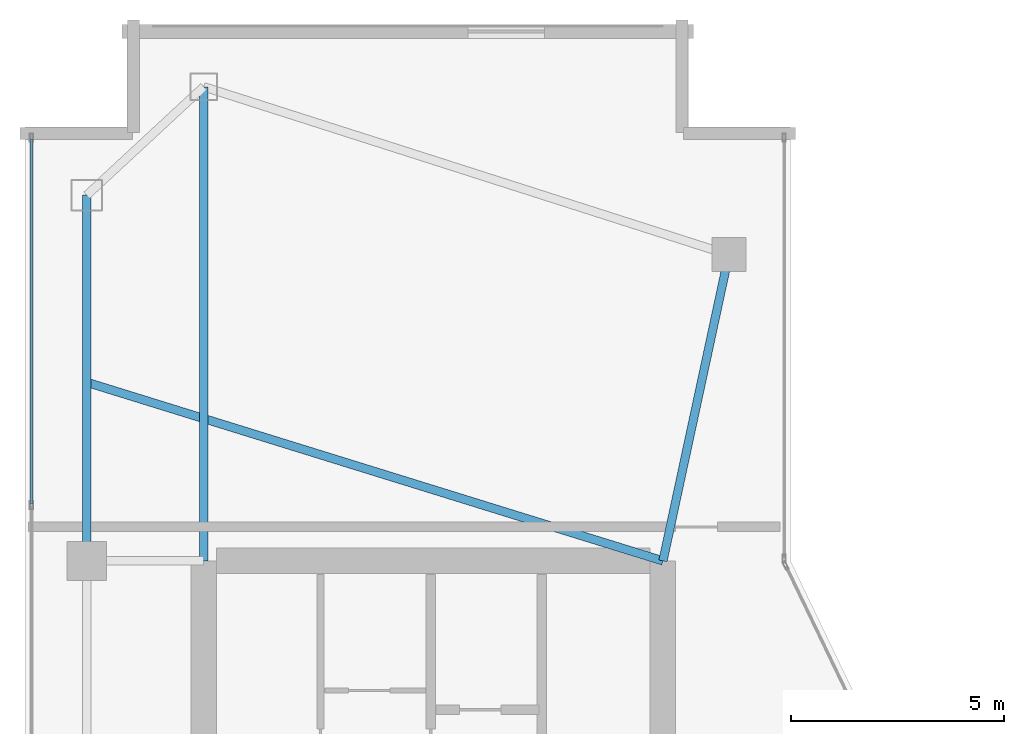
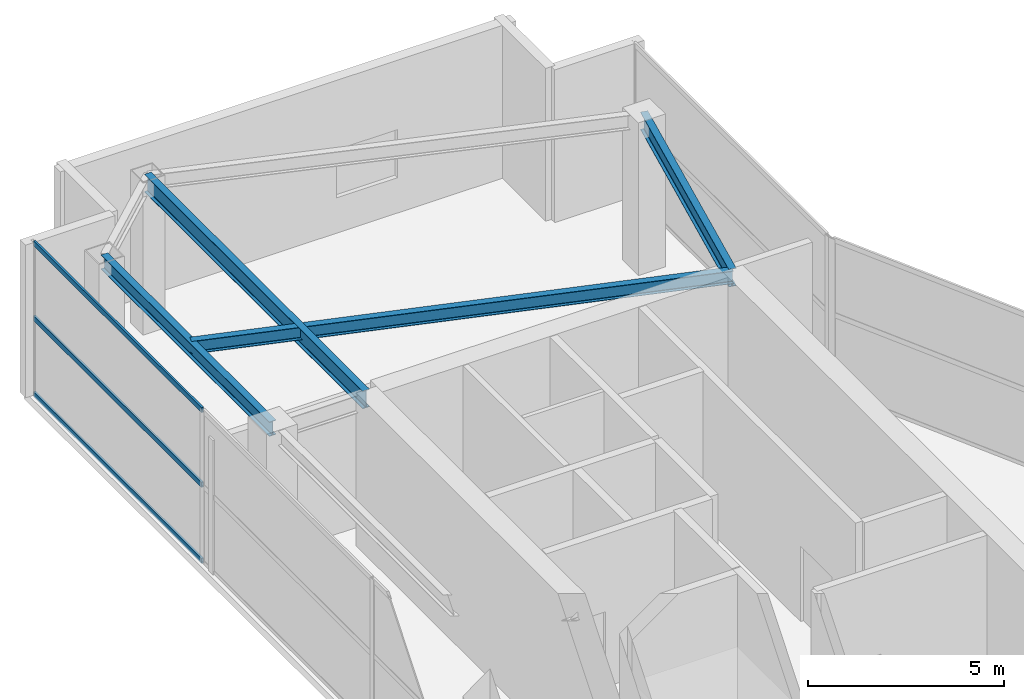
# One storey, part 13 of 20: 4 beams, 3 members, 1 element without a shape of its own.
"""IFC4 building model written with IfcOpenShell, lengths in metres."""

from ifc_helpers import new_model, si_unit, direction, frame, origin, origin_2d, place, context, subcontext, project, spatial, hollow_rectangle, i_section, extrude, material, layer, layer_set, material_profile, profile_set, type_object, element, aggregate, save


model = new_model("IFC4")

# Units and contexts
model_context = context("Model", 3, precision=1e-05, world=origin(), true_north=direction((0.0, 1.0)))
body_context = subcontext(model_context, "Body", "Model", "MODEL_VIEW")
ifc_project = project(units=[si_unit("LENGTHUNIT", "METRE"), si_unit("AREAUNIT", "SQUARE_METRE"), si_unit("VOLUMEUNIT", "CUBIC_METRE"), si_unit("PLANEANGLEUNIT", "RADIAN"), si_unit("MASSUNIT", "GRAM", prefix="KILO")], contexts=[model_context])

# Site, building, storey
site_placement = place(None, origin())
site = spatial("IfcSite", under=ifc_project, at=site_placement, CompositionType="ELEMENT")
building_placement = place(site_placement, origin())
building = spatial("IfcBuilding", under=site, at=building_placement, Name="Calvorn Quay Hotel", CompositionType="ELEMENT")
storey_placement = place(building_placement, frame((0.0, 0.0, 335.5)))
storey = spatial("IfcBuildingStorey", under=building, at=storey_placement, Name="L82", CompositionType="ELEMENT", Elevation=335.5)

# Beams
ifc_material_1 = material(Name="Steel Q355B", Category="steel")
ifc_material_profile_1 = material_profile(ifc_material_1, i_section(OverallWidth=0.199951171875, OverallDepth=0.550048828125, WebThickness=0.010009765625, FlangeThickness=0.01611328125, FilletRadius=0.01806640625, at=origin_2d()), Name="HN550x200x10x16")
ifc_profile_set_1 = profile_set([ifc_material_profile_1], Name="Steel Q355B")
beam_type_1 = type_object("IfcBeamType", Name="BM-GIRD-UPP", PredefinedType="BEAM", material=ifc_profile_set_1)
beam_1_placement = place(storey_placement, frame((4.199951171875, 49.550048828125, 4.465087890625), z_axis=(0.0, -1.0, 0.0), x_axis=(1.0, 0.0, 0.0)))
element("IfcBeam", 1, at=beam_1_placement, inside=storey, type_object=beam_type_1, Name="Beam BG-L82-W5", PredefinedType="BEAM", context=body_context, shape_type="SweptSolid", body=[
    extrude(i_section(OverallWidth=0.199951171875, OverallDepth=0.550048828125, WebThickness=0.010009765625, FlangeThickness=0.01611328125, FilletRadius=0.01806640625, at=origin_2d()), origin(), (0.0, 0.0, 1.0), 11.150146484375),
])
beam_2_placement = place(storey_placement, frame((16.550048828125, 45.60009765625, 4.465087890625), z_axis=(-0.210457140491, -0.97760308511, 0.0), x_axis=(0.97760308511, -0.210457140491, 0.0)))
element("IfcBeam", 2, at=beam_2_placement, inside=storey, type_object=beam_type_1, Name="Beam BG-L82-W6", PredefinedType="BEAM", context=body_context, shape_type="SweptSolid", body=[
    extrude(i_section(OverallWidth=0.199951171875, OverallDepth=0.550048828125, WebThickness=0.010009765625, FlangeThickness=0.01611328125, FilletRadius=0.01806640625, at=origin_2d()), origin(), (0.0, 0.0, 1.0), 7.365234375),
])
ifc_material_2 = material(Name="Steel Q355B", Category="steel")
ifc_material_profile_2 = material_profile(ifc_material_2, i_section(OverallWidth=0.199951171875, OverallDepth=0.39990234375, WebThickness=0.008056640625, FlangeThickness=0.012939453125, FilletRadius=0.01611328125, at=origin_2d()), Name="HN400x200x8x13")
ifc_profile_set_2 = profile_set([ifc_material_profile_2], Name="Steel Q355B")
beam_type_2 = type_object("IfcBeamType", Name="BM-JOIST-TYP", PredefinedType="JOIST", material=ifc_profile_set_2)
beam_3_placement = place(storey_placement, frame((1.449951171875, 42.60009765625, 4.5400390625), z_axis=(0.955163702122, -0.296078202759, 0.0), x_axis=(0.296078202759, 0.955163702122, 0.0)))
element("IfcBeam", 3, at=beam_3_placement, inside=storey, type_object=beam_type_2, Name="Beam BJ-L82-W2", PredefinedType="JOIST", context=body_context, shape_type="SweptSolid", body=[
    extrude(i_section(OverallWidth=0.199951171875, OverallDepth=0.39990234375, WebThickness=0.008056640625, FlangeThickness=0.012939453125, FilletRadius=0.01611328125, at=origin_2d()), origin(), (0.0, 0.0, 1.0), 14.18603515625),
])
ifc_material_3 = material(Name="Steel Q355B", Category="steel")
ifc_material_profile_3 = material_profile(ifc_material_3, i_section(OverallWidth=0.199951171875, OverallDepth=0.449951171875, WebThickness=0.009033203125, FlangeThickness=0.013916015625, FilletRadius=0.01611328125, at=origin_2d()), Name="HN450x200x9x14")
ifc_profile_set_3 = profile_set([ifc_material_profile_3], Name="Steel Q355B")
beam_type_3 = type_object("IfcBeamType", Name="BM-SPANDREL-Z3", PredefinedType="SPANDREL", material=ifc_profile_set_3)
beam_4_placement = place(storey_placement, frame((1.449951171875, 38.39990234375, 4.514892578125), z_axis=(0.0, 1.0, 0.0), x_axis=(-1.0, 0.0, 0.0)))
element("IfcBeam", 4, at=beam_4_placement, inside=storey, type_object=beam_type_3, Name="Beam BSP-L82-W4", PredefinedType="SPANDREL", context=body_context, shape_type="SweptSolid", body=[
    extrude(i_section(OverallWidth=0.199951171875, OverallDepth=0.449951171875, WebThickness=0.009033203125, FlangeThickness=0.013916015625, FilletRadius=0.01611328125, at=origin_2d()), origin(), (0.0, 0.0, 1.0), 8.60009765625),
])

# Curtain wall, members
ifc_material_4 = material(Name="Pale Anodised Aluminium and Laminated Glass", Category="aluminium")
ifc_layer = layer(ifc_material_4, 0.219970703125)
ifc_layer_set = layer_set([ifc_layer], Name="CW-SYS-CRN")
curtain_wall_type = type_object("IfcCurtainWallType", Name="CW-SYS-CRN", PredefinedType="NOTDEFINED", material=ifc_layer_set)
curtain_wall_placement = place(storey_placement, origin())
curtain_wall = element("IfcCurtainWall", 5, at=curtain_wall_placement, inside=storey, type_object=curtain_wall_type, Name="Crown Curtain Wall L82-C5", PredefinedType="NOTDEFINED")
ifc_material_5 = material(Name="Pale Anodised Aluminium 6063-T6", Category="aluminium")
ifc_material_profile_4 = material_profile(ifc_material_5, hollow_rectangle(XDim=0.06201171875, YDim=0.159912109375, WallThickness=0.00341796875, at=origin_2d()), Name="ALU-T160x62x3.5")
ifc_profile_set_4 = profile_set([ifc_material_profile_4], Name="Pale Anodised Aluminium 6063-T6")
member_type = type_object("IfcMemberType", Name="CW-SYS-CRN-TRN", PredefinedType="USERDEFINED", material=ifc_profile_set_4)
member_1_placement = place(storey_placement, frame((0.14990234375, 48.320068359375, 0.030029296875), z_axis=(0.0, -1.0, 0.0), x_axis=(1.0, 0.0, 0.0)))
member_1 = element("IfcMember", 6, at=member_1_placement, type_object=member_type, Name="CW-L82-C5 transom 1.1", ObjectType="TRANSOM", PredefinedType="USERDEFINED", context=body_context, shape_type="SweptSolid", body=[
    extrude(hollow_rectangle(XDim=0.06201171875, YDim=0.159912109375, WallThickness=0.00341796875, at=origin_2d()), origin(), (0.0, 0.0, 1.0), 8.58203125),
])
member_2_placement = place(storey_placement, frame((0.14990234375, 48.320068359375, 2.39990234375), z_axis=(0.0, -1.0, 0.0), x_axis=(1.0, 0.0, 0.0)))
member_2 = element("IfcMember", 7, at=member_2_placement, type_object=member_type, Name="CW-L82-C5 transom 1.2", ObjectType="TRANSOM", PredefinedType="USERDEFINED", context=body_context, shape_type="SweptSolid", body=[
    extrude(hollow_rectangle(XDim=0.06201171875, YDim=0.159912109375, WallThickness=0.00341796875, at=origin_2d()), origin(), (0.0, 0.0, 1.0), 8.58203125),
])
member_3_placement = place(storey_placement, frame((0.14990234375, 48.320068359375, 4.72998046875), z_axis=(0.0, -1.0, 0.0), x_axis=(1.0, 0.0, 0.0)))
member_3 = element("IfcMember", 8, at=member_3_placement, type_object=member_type, Name="CW-L82-C5 transom 1.3", ObjectType="TRANSOM", PredefinedType="USERDEFINED", context=body_context, shape_type="SweptSolid", body=[
    extrude(hollow_rectangle(XDim=0.06201171875, YDim=0.159912109375, WallThickness=0.00341796875, at=origin_2d()), origin(), (0.0, 0.0, 1.0), 8.58203125),
])
aggregate(curtain_wall, [member_1, member_2, member_3])

save(model, "model.ifc")
